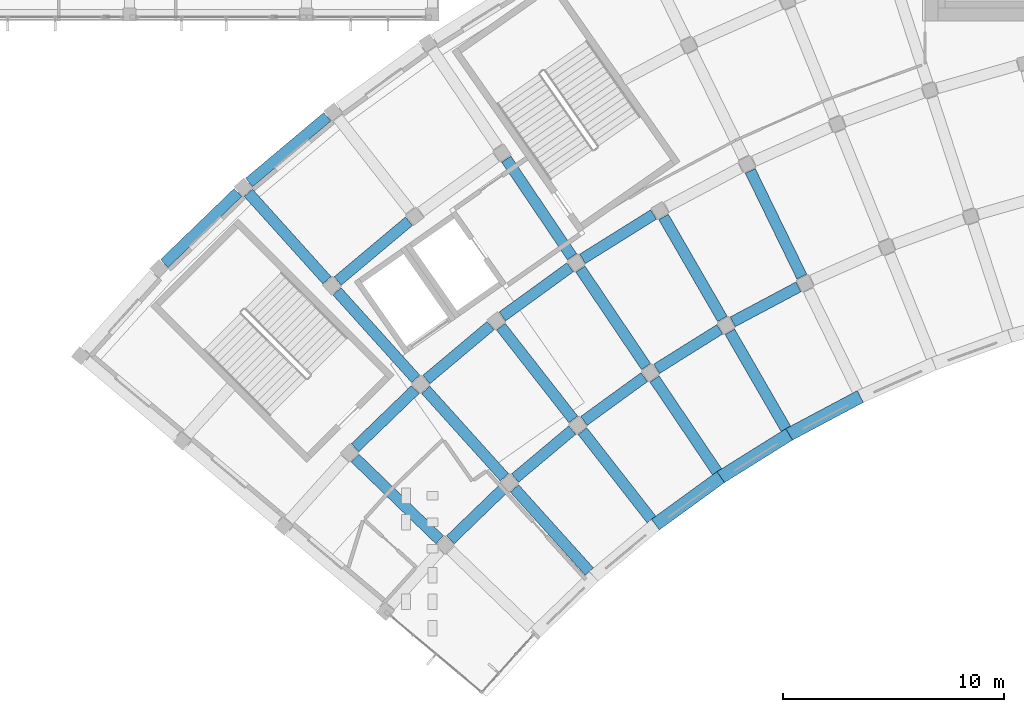
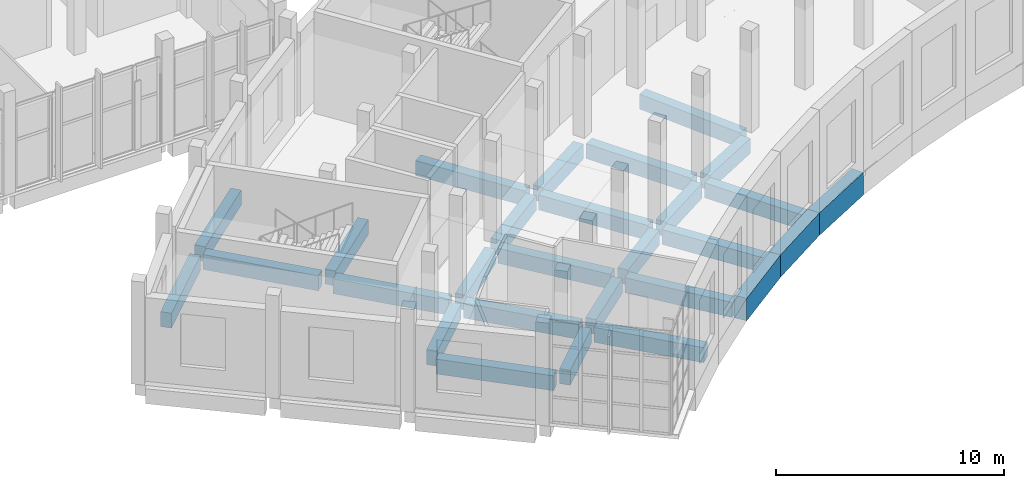
# One storey, part 6 of 87: 28 beams.
"""IFC4 building model written with IfcOpenShell, lengths in metres."""

from ifc_helpers import new_model, si_unit, direction, frame, origin, origin_2d, place, context, subcontext, project, spatial, rectangle, extrude, material, material_profile, profile_set, type_object, element, save


model = new_model("IFC4")

# Units and contexts
model_context = context("Model", 3, precision=1e-05, world=origin(), true_north=direction((0.0, 1.0)))
body_context = subcontext(model_context, "Body", "Model", "MODEL_VIEW")
ifc_project = project(units=[si_unit("LENGTHUNIT", "METRE"), si_unit("AREAUNIT", "SQUARE_METRE"), si_unit("VOLUMEUNIT", "CUBIC_METRE"), si_unit("PLANEANGLEUNIT", "RADIAN"), si_unit("MASSUNIT", "GRAM", prefix="KILO")], contexts=[model_context])

# Site, building, storey
site_placement = place(None, origin())
site = spatial("IfcSite", under=ifc_project, at=site_placement, CompositionType="ELEMENT")
building_placement = place(site_placement, origin())
building = spatial("IfcBuilding", under=site, at=building_placement, Name="Lunette Opera House", CompositionType="ELEMENT")
storey_placement = place(building_placement, frame((0.0, 0.0, 11.5)))
storey = spatial("IfcBuildingStorey", under=building, at=storey_placement, Name="L02", CompositionType="ELEMENT", Elevation=11.5)

# Beams
ifc_material_1 = material(Name="Concrete C35/45", Category="concrete")
ifc_material_profile_1 = material_profile(ifc_material_1, rectangle(XDim=0.5, YDim=0.800048828125, at=origin_2d()), Name="RC BEAM 500X800")
ifc_profile_set_1 = profile_set([ifc_material_profile_1], Name="Concrete C35/45")
beam_type_1 = type_object("IfcBeamType", Name="RC BEAM 500X800", PredefinedType="BEAM", material=ifc_profile_set_1)
beam_1_placement = place(storey_placement, frame((54.033935546875, 40.52587890625, -0.6201171875), z_axis=(-0.719297872313, 0.694701785579, 0.0), x_axis=(-0.694701785579, -0.719297872313, 0.0)))
element("IfcBeam", 1, at=beam_1_placement, inside=storey, type_object=beam_type_1, Name="beam-FC-L02-L02-RB-RL-02-2", PredefinedType="BEAM", context=body_context, shape_type="SweptSolid", body=[
    extrude(rectangle(XDim=0.5, YDim=0.800048828125, at=origin_2d()), origin(), (0.0, 0.0, 1.0), 5.3203125),
])
beam_2_placement = place(storey_placement, frame((60.81005859375, 39.08203125, -0.6201171875), z_axis=(-0.66905518217, 0.743212730792, 0.0), x_axis=(-0.743212730792, -0.66905518217, 0.0)))
element("IfcBeam", 2, at=beam_2_placement, inside=storey, type_object=beam_type_1, Name="beam-FC-L02-L02-RB-RL-03-1", PredefinedType="BEAM", context=body_context, shape_type="SweptSolid", body=[
    extrude(rectangle(XDim=0.5, YDim=0.800048828125, at=origin_2d()), origin(), (0.0, 0.0, 1.0), 5.070068359375),
])
beam_3_placement = place(storey_placement, frame((56.962890625, 43.35498046875, -0.6201171875), z_axis=(-0.669081342806, 0.743189179623, 0.0), x_axis=(-0.743189179623, -0.669081342806, 0.0)))
element("IfcBeam", 3, at=beam_3_placement, inside=storey, type_object=beam_type_1, Name="beam-FC-L02-L02-RB-RL-03-2", PredefinedType="BEAM", context=body_context, shape_type="SweptSolid", body=[
    extrude(rectangle(XDim=0.5, YDim=0.800048828125, at=origin_2d()), origin(), (0.0, 0.0, 1.0), 5.320556640625),
])
beam_4_placement = place(storey_placement, frame((52.947998046875, 47.81396484375, -0.6201171875), z_axis=(-0.66919796217, 0.743084172505, 0.0), x_axis=(-0.743084172505, -0.66919796217, 0.0)))
element("IfcBeam", 4, at=beam_4_placement, inside=storey, type_object=beam_type_1, Name="beam-FC-L02-L02-RB-RL-03-3", PredefinedType="BEAM", context=body_context, shape_type="SweptSolid", body=[
    extrude(rectangle(XDim=0.5, YDim=0.800048828125, at=origin_2d()), origin(), (0.0, 0.0, 1.0), 5.31982421875),
])
beam_5_placement = place(storey_placement, frame((48.93310546875, 52.27294921875, -0.6201171875), z_axis=(-0.669096581874, 0.743175459851, 0.0), x_axis=(-0.743175459851, -0.669096581874, 0.0)))
element("IfcBeam", 5, at=beam_5_placement, inside=storey, type_object=beam_type_1, Name="beam-FC-L02-L02-RB-RL-03-4", PredefinedType="BEAM", context=body_context, shape_type="SweptSolid", body=[
    extrude(rectangle(XDim=0.5, YDim=0.800048828125, at=origin_2d()), origin(), (0.0, 0.0, 1.0), 5.3193359375),
])
beam_6_placement = place(storey_placement, frame((63.6220703125, 41.44091796875, -0.6201171875), z_axis=(-0.615539387219, 0.788106124061, 0.0), x_axis=(-0.788106124061, -0.615539387219, 0.0)))
element("IfcBeam", 6, at=beam_6_placement, inside=storey, type_object=beam_type_1, Name="beam-FC-L02-L02-RB-RL-04-1", PredefinedType="BEAM", context=body_context, shape_type="SweptSolid", body=[
    extrude(rectangle(XDim=0.5, YDim=0.800048828125, at=origin_2d()), origin(), (0.0, 0.0, 1.0), 5.070556640625),
])
beam_7_placement = place(storey_placement, frame((60.08203125, 45.972900390625, -0.6201171875), z_axis=(-0.615648494847, 0.788020894896, 0.0), x_axis=(-0.788020894896, -0.615648494847, 0.0)))
element("IfcBeam", 7, at=beam_7_placement, inside=storey, type_object=beam_type_1, Name="beam-FC-L02-L02-RB-RL-04-2", PredefinedType="BEAM", context=body_context, shape_type="SweptSolid", body=[
    extrude(rectangle(XDim=0.5, YDim=0.800048828125, at=origin_2d()), origin(), (0.0, 0.0, 1.0), 5.31982421875),
])
beam_8_placement = place(storey_placement, frame((66.592041015625, 43.59912109375, -0.6201171875), z_axis=(-0.559204020716, 0.82903007377, 0.0), x_axis=(-0.82903007377, -0.559204020716, 0.0)))
element("IfcBeam", 8, at=beam_8_placement, inside=storey, type_object=beam_type_1, Name="beam-FC-L02-L02-RB-RL-05-1", PredefinedType="BEAM", context=body_context, shape_type="SweptSolid", body=[
    extrude(rectangle(XDim=0.5, YDim=0.800048828125, at=origin_2d()), origin(), (0.0, 0.0, 1.0), 5.069580078125),
])
beam_9_placement = place(storey_placement, frame((63.376953125, 48.365966796875, -0.6201171875), z_axis=(-0.559129198637, 0.829080538447, 0.0), x_axis=(-0.829080538447, -0.559129198637, 0.0)))
element("IfcBeam", 9, at=beam_9_placement, inside=storey, type_object=beam_type_1, Name="beam-FC-L02-L02-RB-RL-05-2", PredefinedType="BEAM", context=body_context, shape_type="SweptSolid", body=[
    extrude(rectangle(XDim=0.5, YDim=0.800048828125, at=origin_2d()), origin(), (0.0, 0.0, 1.0), 5.320556640625),
])
beam_10_placement = place(storey_placement, frame((60.02197265625, 53.340087890625, -0.6201171875), z_axis=(-0.559150470636, 0.829066192284, 0.0), x_axis=(-0.829066192284, -0.559150470636, 0.0)))
element("IfcBeam", 10, at=beam_10_placement, inside=storey, type_object=beam_type_1, Name="beam-FC-L02-L02-RB-RL-05-3", PredefinedType="BEAM", context=body_context, shape_type="SweptSolid", body=[
    extrude(rectangle(XDim=0.5, YDim=0.800048828125, at=origin_2d()), origin(), (0.0, 0.0, 1.0), 5.3203125),
])
beam_11_placement = place(storey_placement, frame((69.705078125, 45.5439453125, -0.6201171875), z_axis=(-0.499991985073, 0.866030031155, 0.0), x_axis=(-0.866030031155, -0.499991985073, 0.0)))
element("IfcBeam", 11, at=beam_11_placement, inside=storey, type_object=beam_type_1, Name="beam-FC-L02-L02-RB-RL-06-1", PredefinedType="BEAM", context=body_context, shape_type="SweptSolid", body=[
    extrude(rectangle(XDim=0.5, YDim=0.800048828125, at=origin_2d()), origin(), (0.0, 0.0, 1.0), 5.0703125),
])
beam_12_placement = place(storey_placement, frame((66.830078125, 50.52392578125, -0.6201171875), z_axis=(-0.500028328365, 0.866009047777, 0.0), x_axis=(-0.866009047777, -0.500028328365, 0.0)))
element("IfcBeam", 12, at=beam_12_placement, inside=storey, type_object=beam_type_1, Name="beam-FC-L02-L02-RB-RL-06-2", PredefinedType="BEAM", context=body_context, shape_type="SweptSolid", body=[
    extrude(rectangle(XDim=0.5, YDim=0.800048828125, at=origin_2d()), origin(), (0.0, 0.0, 1.0), 5.320068359375),
])
beam_13_placement = place(storey_placement, frame((70.425048828125, 52.43603515625, -0.6201171875), z_axis=(-0.438398312975, 0.898780795957, 0.0), x_axis=(-0.898780795957, -0.438398312975, 0.0)))
element("IfcBeam", 13, at=beam_13_placement, inside=storey, type_object=beam_type_1, Name="beam-FC-L02-L02-RB-RL-07-2", PredefinedType="BEAM", context=body_context, shape_type="SweptSolid", body=[
    extrude(rectangle(XDim=0.5, YDim=0.800048828125, at=origin_2d()), origin(), (0.0, 0.0, 1.0), 5.3193359375),
])
beam_14_placement = place(storey_placement, frame((54.52294921875, 40.52587890625, -0.6201171875), z_axis=(0.719180338661, 0.69482345994, 0.0), x_axis=(-0.69482345994, 0.719180338661, 0.0)))
element("IfcBeam", 14, at=beam_14_placement, inside=storey, type_object=beam_type_1, Name="beam-FC-L02-L02-RG-AR-M1-RL-02", PredefinedType="BEAM", context=body_context, shape_type="SweptSolid", body=[
    extrude(rectangle(XDim=0.5, YDim=0.800048828125, at=origin_2d()), origin(), (0.0, 0.0, 1.0), 3.367919921875),
])
beam_15_placement = place(storey_placement, frame((57.450927734375, 43.321044921875, -0.6201171875), z_axis=(0.766030340985, 0.642804415581, 0.0), x_axis=(-0.642804415581, 0.766030340985, 0.0)))
element("IfcBeam", 15, at=beam_15_placement, inside=storey, type_object=beam_type_1, Name="beam-FC-L02-L02-RG-AR-M1-RL-03", PredefinedType="BEAM", context=body_context, shape_type="SweptSolid", body=[
    extrude(rectangle(XDim=0.5, YDim=0.800048828125, at=origin_2d()), origin(), (0.0, 0.0, 1.0), 3.3681640625),
])
beam_16_placement = place(storey_placement, frame((60.56689453125, 45.905029296875, -0.6201171875), z_axis=(0.809143406589, 0.587611221449, 0.0), x_axis=(-0.587611221449, 0.809143406589, 0.0)))
element("IfcBeam", 16, at=beam_16_placement, inside=storey, type_object=beam_type_1, Name="beam-FC-L02-L02-RG-AR-M1-RL-04", PredefinedType="BEAM", context=body_context, shape_type="SweptSolid", body=[
    extrude(rectangle(XDim=0.5, YDim=0.800048828125, at=origin_2d()), origin(), (0.0, 0.0, 1.0), 3.367919921875),
])
beam_17_placement = place(storey_placement, frame((63.85595703125, 48.263916015625, -0.6201171875), z_axis=(0.847892378533, 0.530168383088, 0.0), x_axis=(-0.530168383088, 0.847892378533, 0.0)))
element("IfcBeam", 17, at=beam_17_placement, inside=storey, type_object=beam_type_1, Name="beam-FC-L02-L02-RG-AR-M1-RL-05", PredefinedType="BEAM", context=body_context, shape_type="SweptSolid", body=[
    extrude(rectangle(XDim=0.5, YDim=0.800048828125, at=origin_2d()), origin(), (0.0, 0.0, 1.0), 3.3671875),
])
beam_18_placement = place(storey_placement, frame((67.300048828125, 50.388916015625, -0.6201171875), z_axis=(0.882970205141, 0.469429032797, 0.0), x_axis=(-0.469429032797, 0.882970205141, 0.0)))
element("IfcBeam", 18, at=beam_18_placement, inside=storey, type_object=beam_type_1, Name="beam-FC-L02-L02-RG-AR-M1-RL-06", PredefinedType="BEAM", context=body_context, shape_type="SweptSolid", body=[
    extrude(rectangle(XDim=0.5, YDim=0.800048828125, at=origin_2d()), origin(), (0.0, 0.0, 1.0), 3.367919921875),
])
beam_19_placement = place(storey_placement, frame((50.20703125, 44.694091796875, -0.6201171875), z_axis=(0.719281477896, 0.694718760043, 0.0), x_axis=(-0.694718760043, 0.719281477896, 0.0)))
element("IfcBeam", 19, at=beam_19_placement, inside=storey, type_object=beam_type_1, Name="beam-FC-L02-L02-RG-AR-B-RL-02", PredefinedType="BEAM", context=body_context, shape_type="SweptSolid", body=[
    extrude(rectangle(XDim=0.5, YDim=0.800048828125, at=origin_2d()), origin(), (0.0, 0.0, 1.0), 3.786865234375),
])
beam_20_placement = place(storey_placement, frame((53.43701171875, 47.780029296875, -0.6201171875), z_axis=(0.76594363351, 0.642907730771, 0.0), x_axis=(-0.642907730771, 0.76594363351, 0.0)))
element("IfcBeam", 20, at=beam_20_placement, inside=storey, type_object=beam_type_1, Name="beam-FC-L02-L02-RG-AR-B-RL-03", PredefinedType="BEAM", context=body_context, shape_type="SweptSolid", body=[
    extrude(rectangle(XDim=0.5, YDim=0.800048828125, at=origin_2d()), origin(), (0.0, 0.0, 1.0), 3.7861328125),
])
beam_21_placement = place(storey_placement, frame((56.873046875, 50.633056640625, -0.6201171875), z_axis=(0.809173599982, 0.58756964276, 0.0), x_axis=(-0.58756964276, 0.809173599982, 0.0)))
element("IfcBeam", 21, at=beam_21_placement, inside=storey, type_object=beam_type_1, Name="beam-FC-L02-L02-RG-AR-B-RL-04", PredefinedType="BEAM", context=body_context, shape_type="SweptSolid", body=[
    extrude(rectangle(XDim=0.5, YDim=0.800048828125, at=origin_2d()), origin(), (0.0, 0.0, 1.0), 3.78662109375),
])
beam_22_placement = place(storey_placement, frame((60.5, 53.238037109375, -0.6201171875), z_axis=(0.847925878507, 0.530114803187, 0.0), x_axis=(-0.530114803187, 0.847925878507, 0.0)))
element("IfcBeam", 22, at=beam_22_placement, inside=storey, type_object=beam_type_1, Name="beam-FC-L02-L02-RG-AR-B-RL-05", PredefinedType="BEAM", context=body_context, shape_type="SweptSolid", body=[
    extrude(rectangle(XDim=0.5, YDim=0.800048828125, at=origin_2d()), origin(), (0.0, 0.0, 1.0), 3.7880859375),
])
beam_23_placement = place(storey_placement, frame((49.422119140625, 52.239013671875, -0.6201171875), z_axis=(0.766022755014, 0.642813455678, 0.0), x_axis=(-0.642813455678, 0.766022755014, 0.0)))
element("IfcBeam", 23, at=beam_23_placement, inside=storey, type_object=beam_type_1, Name="beam-FC-L02-L02-RG-AR-M2-RL-03", PredefinedType="BEAM", context=body_context, shape_type="SweptSolid", body=[
    extrude(rectangle(XDim=0.5, YDim=0.800048828125, at=origin_2d()), origin(), (0.0, 0.0, 1.0), 4.204833984375),
])
beam_24_placement = place(storey_placement, frame((41.574951171875, 53.030029296875, -0.6201171875), z_axis=(0.719223136798, 0.694779158794, 0.0), x_axis=(-0.694779158794, 0.719223136798, 0.0)))
element("IfcBeam", 24, at=beam_24_placement, inside=storey, type_object=beam_type_1, Name="beam-FC-L02-L02-RG-AR-C-RL-02", PredefinedType="BEAM", context=body_context, shape_type="SweptSolid", body=[
    extrude(rectangle(XDim=0.5, YDim=0.800048828125, at=origin_2d()), origin(), (0.0, 0.0, 1.0), 4.624267578125),
])
beam_25_placement = place(storey_placement, frame((45.406982421875, 56.697998046875, -0.6201171875), z_axis=(0.766061536692, 0.64276723781, 0.0), x_axis=(-0.64276723781, 0.766061536692, 0.0)))
element("IfcBeam", 25, at=beam_25_placement, inside=storey, type_object=beam_type_1, Name="beam-FC-L02-L02-RG-AR-C-RL-03", PredefinedType="BEAM", context=body_context, shape_type="SweptSolid", body=[
    extrude(rectangle(XDim=0.5, YDim=0.800048828125, at=origin_2d()), origin(), (0.0, 0.0, 1.0), 4.62353515625),
])
ifc_material_2 = material(Name="Concrete C40/50", Category="concrete")
ifc_material_profile_2 = material_profile(ifc_material_2, rectangle(XDim=0.60009765625, YDim=1.199951171875, at=origin_2d()), Name="TRANSFER BEAM 600X1200")
ifc_profile_set_2 = profile_set([ifc_material_profile_2], Name="Concrete C40/50")
beam_type_2 = type_object("IfcBeamType", Name="TRANSFER BEAM 600X1200", PredefinedType="BEAM", material=ifc_profile_set_2)
beam_26_placement = place(storey_placement, frame((63.801025390625, 41.212890625, -0.60009765625), z_axis=(0.808938490191, 0.587893288861, 0.0), x_axis=(-0.587893288861, 0.808938490191, 0.0)))
element("IfcBeam", 26, at=beam_26_placement, inside=storey, type_object=beam_type_2, Name="beam-FC-L02-EB03", PredefinedType="BEAM", context=body_context, shape_type="SweptSolid", body=[
    extrude(rectangle(XDim=0.60009765625, YDim=1.199951171875, at=origin_2d()), origin(), (0.0, 0.0, 1.0), 3.650390625),
])
beam_27_placement = place(storey_placement, frame((66.75390625, 43.35888671875, -0.60009765625), z_axis=(0.84812602074, 0.529794538424, 0.0), x_axis=(-0.529794538424, 0.84812602074, 0.0)))
element("IfcBeam", 27, at=beam_27_placement, inside=storey, type_object=beam_type_2, Name="beam-FC-L02-EB04", PredefinedType="BEAM", context=body_context, shape_type="SweptSolid", body=[
    extrude(rectangle(XDim=0.60009765625, YDim=1.199951171875, at=origin_2d()), origin(), (0.0, 0.0, 1.0), 3.650634765625),
])
beam_28_placement = place(storey_placement, frame((69.85009765625, 45.29296875, -0.60009765625), z_axis=(0.882894807692, 0.469570823786, 0.0), x_axis=(-0.469570823786, 0.882894807692, 0.0)))
element("IfcBeam", 28, at=beam_28_placement, inside=storey, type_object=beam_type_2, Name="beam-FC-L02-EB05", PredefinedType="BEAM", context=body_context, shape_type="SweptSolid", body=[
    extrude(rectangle(XDim=0.60009765625, YDim=1.199951171875, at=origin_2d()), origin(), (0.0, 0.0, 1.0), 3.650390625),
])

save(model, "model.ifc")
